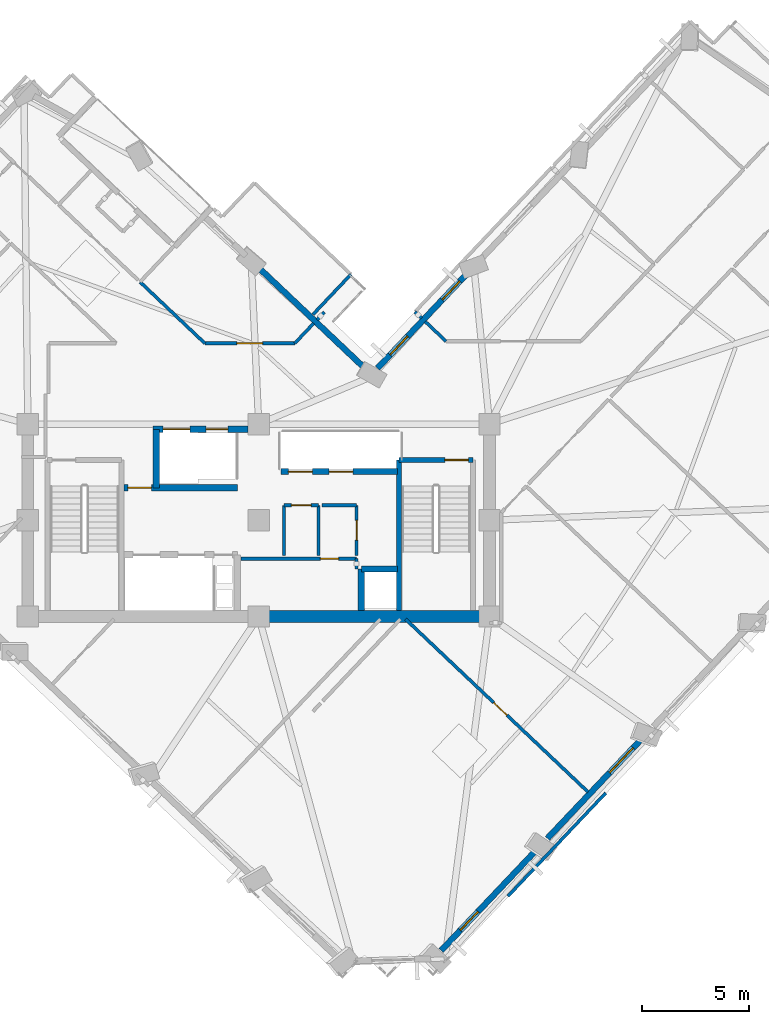
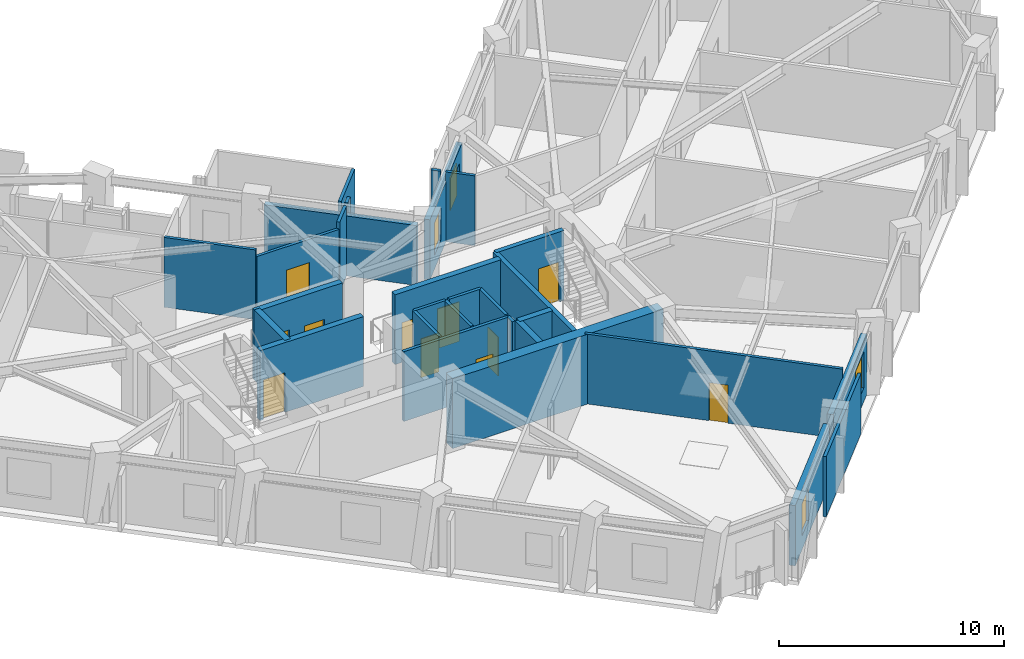
# One storey, part 5 of 12: 29 walls, 11 doors, 4 windows, 15 openings.
"""IFC4 building model written with IfcOpenShell, lengths in metres."""

from ifc_helpers import new_model, si_unit, direction, frame, frame_2d, origin, place, context, subcontext, project, spatial, rectangle, extrude, material, layer, layer_set, type_object, element, fill, save


model = new_model("IFC4")

# Units and contexts
model_context = context("Model", 3, precision=1e-05, world=origin(), true_north=direction((0.0, 1.0)))
body_context = subcontext(model_context, "Body", "Model", "MODEL_VIEW")
ifc_project = project(units=[si_unit("LENGTHUNIT", "METRE"), si_unit("AREAUNIT", "SQUARE_METRE"), si_unit("VOLUMEUNIT", "CUBIC_METRE"), si_unit("PLANEANGLEUNIT", "RADIAN"), si_unit("MASSUNIT", "GRAM", prefix="KILO")], contexts=[model_context])

# Site, building, storey
site_placement = place(None, origin())
site = spatial("IfcSite", under=ifc_project, at=site_placement, CompositionType="ELEMENT")
building_placement = place(site_placement, origin())
building = spatial("IfcBuilding", under=site, at=building_placement, Name="Gaonmaruhae Medical Tower", CompositionType="ELEMENT")
storey_placement = place(building_placement, frame((0.0, 0.0, 223.199951171875)))
storey = spatial("IfcBuildingStorey", under=building, at=storey_placement, Name="L53", CompositionType="ELEMENT", Elevation=223.199951171875)

# Wall
ifc_material_1 = material(Name="Concrete C50/60", Category="concrete")
ifc_layer_1 = layer(ifc_material_1, 0.550048828125)
ifc_layer_set_1 = layer_set([ifc_layer_1], Name="Concrete C50/60")
wall_type_1 = type_object("IfcWallType", Name="CW-550 Mid-High Core Shear Wall", PredefinedType="SHEAR", material=ifc_layer_set_1)
wall_1_placement = place(storey_placement, frame((24.800048828125, 7.800048828125, 0.0), z_axis=(0.0, 0.0, 1.0), x_axis=(1.0, 0.0, 0.0)))
element("IfcWall", 1, at=wall_1_placement, inside=storey, type_object=wall_type_1, Name="L53 Core Shear Wall CSW-S2", PredefinedType="SHEAR", context=body_context, shape_type="SweptSolid", body=[
    extrude(rectangle(XDim=10.800048828125, YDim=0.550048828125, at=frame_2d((5.39990234375, 0.0))), origin(), (0.0, 0.0, 1.0), 3.780029296875),
])

# Wall, opening, window
ifc_material_2 = material(Name="Precast concrete C45/55", Category="concrete")
ifc_layer_2 = layer(ifc_material_2, 0.280029296875)
ifc_layer_set_2 = layer_set([ifc_layer_2], Name="Precast concrete C45/55")
wall_type_2 = type_object("IfcWallType", Name="EW-280 Upper Precast Masonry-Frame Facade Wall", PredefinedType="SOLIDWALL", material=ifc_layer_set_2)
wall_2_placement = place(storey_placement, frame((37.796142578125, -3.12353515625, 0.0), z_axis=(0.0, 0.0, 1.0), x_axis=(-0.68772271811, -0.725973458878, 0.0)))
wall_2 = element("IfcWall", 2, at=wall_2_placement, inside=storey, type_object=wall_type_2, Name="L53 Precast Masonry-Frame Wall S01-S02", PredefinedType="SOLIDWALL", context=body_context, shape_type="SweptSolid", body=[
    extrude(rectangle(XDim=6.48486328125, YDim=0.280029296875, at=frame_2d((3.242431640625, 0.0))), origin(), (0.0, 0.0, 1.0), 3.26513671875),
])
opening_1_placement = place(wall_2_placement, frame((3.973876953125, 0.0, 0.75)))
opening_1 = element("IfcOpeningElement", 3, at=opening_1_placement, cuts=wall_2, Name="Opening WN-05", PredefinedType="OPENING", context=body_context, shape_type="SweptSolid", body=[
    extrude(rectangle(XDim=1.199951171875, YDim=1.75, at=frame_2d((0.60009765625, 0.875))), frame((0.0, 0.14990234375, 0.0), z_axis=(0.0, -1.0, 0.0), x_axis=(1.0, 0.0, 0.0)), (0.0, 0.0, 1.0), 0.300048828125),
])
ifc_material_3 = material(Name="Anodised aluminium and Low-E double glazing", Category="aluminium")
window_type_1 = type_object("IfcWindowType", Name="WN-05 Support & Staff Punched Window 1200x1750", PartitioningType="SINGLE_PANEL", PredefinedType="WINDOW", material=ifc_material_3)
window_1_placement = place(opening_1_placement, origin())
window_1 = element("IfcWindow", 4, at=window_1_placement, inside=storey, type_object=window_type_1, Name="L53 Modular Facade Window S01", OverallHeight=1.75, OverallWidth=1.199951171875, PartitioningType="SINGLE_PANEL", PredefinedType="WINDOW", context=body_context, shape_type="SweptSolid", body=[
    extrude(rectangle(XDim=1.199951171875, YDim=1.75, at=frame_2d((0.60009765625, 0.875))), frame((0.0, 0.030029296875, 0.0), z_axis=(0.0, -1.0, 0.0), x_axis=(1.0, 0.0, 0.0)), (0.0, 0.0, 1.0), 0.06005859375),
])
fill(opening_1, window_1)

wall_3_placement = place(storey_placement, frame((42.7353515625, 2.09033203125, 0.0), z_axis=(0.0, 0.0, 1.0), x_axis=(-0.687718353972, -0.72597759305, 0.0)))
wall_3 = element("IfcWall", 5, at=wall_3_placement, inside=storey, type_object=wall_type_2, Name="L53 Precast Masonry-Frame Wall S02-S03", PredefinedType="SOLIDWALL", context=body_context, shape_type="SweptSolid", body=[
    extrude(rectangle(XDim=6.438720703125, YDim=0.280029296875, at=frame_2d((3.21923828125, 0.0))), origin(), (0.0, 0.0, 1.0), 3.26513671875),
])
opening_2_placement = place(wall_3_placement, frame((0.6103515625, 0.0, 0.75)))
opening_2 = element("IfcOpeningElement", 6, at=opening_2_placement, cuts=wall_3, Name="Opening WN-01", PredefinedType="OPENING", context=body_context, shape_type="SweptSolid", body=[
    extrude(rectangle(XDim=1.60009765625, YDim=1.949951171875, at=frame_2d((0.800048828125, 0.97509765625))), frame((0.0, 0.14990234375, 0.0), z_axis=(0.0, -1.0, 0.0), x_axis=(1.0, 0.0, 0.0)), (0.0, 0.0, 1.0), 0.300048828125),
])
window_type_2 = type_object("IfcWindowType", Name="WN-01 Ward Punched Acoustic Window 1600x1950", PartitioningType="SINGLE_PANEL", PredefinedType="WINDOW", material=ifc_material_3)
window_2_placement = place(opening_2_placement, origin())
window_2 = element("IfcWindow", 7, at=window_2_placement, inside=storey, type_object=window_type_2, Name="L53 Modular Facade Window S02", OverallHeight=1.949951171875, OverallWidth=1.60009765625, PartitioningType="SINGLE_PANEL", PredefinedType="WINDOW", context=body_context, shape_type="SweptSolid", body=[
    extrude(rectangle(XDim=1.60009765625, YDim=1.949951171875, at=frame_2d((0.800048828125, 0.97509765625))), frame((0.0, 0.030029296875, 0.0), z_axis=(0.0, -1.0, 0.0), x_axis=(1.0, 0.0, 0.0)), (0.0, 0.0, 1.0), 0.06005859375),
])
fill(opening_2, window_2)

# Wall, openings, windows
wall_4_placement = place(storey_placement, frame((30.354248046875, 19.410888671875, 0.0), z_axis=(0.0, 0.0, 1.0), x_axis=(0.68771935581, 0.725976644007, 0.0)))
wall_4 = element("IfcWall", 8, at=wall_4_placement, inside=storey, type_object=wall_type_2, Name="L53 Precast Masonry-Frame Wall EN02-KN01", PredefinedType="SOLIDWALL", context=body_context, shape_type="SweptSolid", body=[
    extrude(rectangle(XDim=6.158203125, YDim=0.280029296875, at=frame_2d((3.0791015625, 0.0))), origin(), (0.0, 0.0, 1.0), 3.26513671875),
])
opening_3_placement = place(wall_4_placement, frame((0.8583984375, 0.0, 0.75)))
opening_3 = element("IfcOpeningElement", 9, at=opening_3_placement, cuts=wall_4, Name="Opening WN-05", PredefinedType="OPENING", context=body_context, shape_type="SweptSolid", body=[
    extrude(rectangle(XDim=1.199951171875, YDim=1.75, at=frame_2d((0.60009765625, 0.875))), frame((0.0, 0.14990234375, 0.0), z_axis=(0.0, -1.0, 0.0), x_axis=(1.0, 0.0, 0.0)), (0.0, 0.0, 1.0), 0.300048828125),
])
opening_4_placement = place(wall_4_placement, frame((4.406494140625, 0.0, 0.75)))
opening_4 = element("IfcOpeningElement", 10, at=opening_4_placement, cuts=wall_4, Name="Opening WN-05", PredefinedType="OPENING", context=body_context, shape_type="SweptSolid", body=[
    extrude(rectangle(XDim=1.199951171875, YDim=1.75, at=frame_2d((0.60009765625, 0.875))), frame((0.0, 0.14990234375, 0.0), z_axis=(0.0, -1.0, 0.0), x_axis=(1.0, 0.0, 0.0)), (0.0, 0.0, 1.0), 0.300048828125),
])
window_3_placement = place(opening_3_placement, origin())
window_3 = element("IfcWindow", 11, at=window_3_placement, inside=storey, type_object=window_type_1, Name="L53 Modular Facade Window EN02", OverallHeight=1.75, OverallWidth=1.199951171875, PartitioningType="SINGLE_PANEL", PredefinedType="WINDOW", context=body_context, shape_type="SweptSolid", body=[
    extrude(rectangle(XDim=1.199951171875, YDim=1.75, at=frame_2d((0.60009765625, 0.875))), frame((0.0, 0.030029296875, 0.0), z_axis=(0.0, -1.0, 0.0), x_axis=(1.0, 0.0, 0.0)), (0.0, 0.0, 1.0), 0.06005859375),
])
fill(opening_3, window_3)
window_4_placement = place(opening_4_placement, origin())
window_4 = element("IfcWindow", 12, at=window_4_placement, inside=storey, type_object=window_type_1, Name="L53 Modular Facade Window EN02B", OverallHeight=1.75, OverallWidth=1.199951171875, PartitioningType="SINGLE_PANEL", PredefinedType="WINDOW", context=body_context, shape_type="SweptSolid", body=[
    extrude(rectangle(XDim=1.199951171875, YDim=1.75, at=frame_2d((0.60009765625, 0.875))), frame((0.0, 0.030029296875, 0.0), z_axis=(0.0, -1.0, 0.0), x_axis=(1.0, 0.0, 0.0)), (0.0, 0.0, 1.0), 0.06005859375),
])
fill(opening_4, window_4)

# Wall
wall_5_placement = place(storey_placement, frame((24.77490234375, 24.1376953125, 0.0), z_axis=(0.0, 0.0, 1.0), x_axis=(0.725970201199, -0.687726156962, 0.0)))
element("IfcWall", 13, at=wall_5_placement, inside=storey, type_object=wall_type_2, Name="L53 Precast Masonry-Frame Wall KN01-NE01", PredefinedType="SOLIDWALL", context=body_context, shape_type="SweptSolid", body=[
    extrude(rectangle(XDim=6.958251953125, YDim=0.280029296875, at=frame_2d((3.47900390625, 0.0))), origin(), (0.0, 0.0, 1.0), 3.2451171875),
])

# Wall, opening, door
ifc_material_4 = material(Name="Gypsum board partition", Category="gypsum")
ifc_layer_3 = layer(ifc_material_4, 0.14990234375)
ifc_layer_set_3 = layer_set([ifc_layer_3], Name="Gypsum board partition")
wall_type_3 = type_object("IfcWallType", Name="PW-150 Rated Clinical Corridor Partition", PredefinedType="PARTITIONING", material=ifc_layer_set_3)
wall_6_placement = place(storey_placement, frame((23.97998046875, 10.5, 0.0), z_axis=(0.0, 0.0, 1.0), x_axis=(1.0, 0.0, 0.0)))
wall_6 = element("IfcWall", 14, at=wall_6_placement, inside=storey, type_object=wall_type_3, Name="L53 Interior Partition L53-RCL1-1", PredefinedType="PARTITIONING", context=body_context, shape_type="SweptSolid", body=[
    extrude(rectangle(XDim=5.39990234375, YDim=0.14990234375, at=frame_2d((2.699951171875, 0.0))), origin(), (0.0, 0.0, 1.0), 3.780029296875),
])
opening_5_placement = place(wall_6_placement, frame((3.702880859375, 0.0, 0.0)))
opening_5 = element("IfcOpeningElement", 15, at=opening_5_placement, cuts=wall_6, Name="Opening AD-01", PredefinedType="OPENING", context=body_context, shape_type="SweptSolid", body=[
    extrude(rectangle(XDim=0.860107421875, YDim=2.06005859375, at=frame_2d((0.43017578125, 1.030029296875))), frame((0.0, 0.0849609375, 0.0), z_axis=(0.0, -1.0, 0.0), x_axis=(1.0, 0.0, 0.0)), (0.0, 0.0, 1.0), 0.169921875),
])
ifc_material_5 = material(Name="Powder-coated steel access door", Category="steel")
door_type_1 = type_object("IfcDoorType", Name="AD-01 Riser & Closet Access Fire Door 860x2060", OperationType="NOTDEFINED", PredefinedType="DOOR", material=ifc_material_5)
door_1_placement = place(opening_5_placement, origin())
door_1 = element("IfcDoor", 16, at=door_1_placement, inside=storey, type_object=door_type_1, Name="L53 Biomedical Infusion Preparation Room Sliding Door", OperationType="SLIDING_TO_LEFT", OverallHeight=2.06005859375, OverallWidth=0.860107421875, PredefinedType="DOOR", context=body_context, shape_type="SweptSolid", body=[
    extrude(rectangle(XDim=0.860107421875, YDim=2.06005859375, at=frame_2d((0.43017578125, 1.030029296875))), frame((0.0, 0.02490234375, 0.0), z_axis=(0.0, -1.0, 0.0), x_axis=(1.0, 0.0, 0.0)), (0.0, 0.0, 1.0), 0.050048828125),
])
fill(opening_5, door_1)

# Walls
wall_7_placement = place(storey_placement, frame((29.3798828125, 10.5, 0.0), z_axis=(0.0, 0.0, 1.0), x_axis=(0.0, -1.0, 0.0)))
element("IfcWall", 17, at=wall_7_placement, inside=storey, type_object=wall_type_3, Name="L53 Interior Partition L53-RCL1-2", PredefinedType="PARTITIONING", context=body_context, shape_type="SweptSolid", body=[
    extrude(rectangle(XDim=0.47998046875, YDim=0.14990234375, at=frame_2d((0.239990234375, 0.0))), origin(), (0.0, 0.0, 1.0), 3.780029296875),
])
wall_8_placement = place(storey_placement, frame((25.97998046875, 10.659912109375, 0.0), z_axis=(0.0, 0.0, 1.0), x_axis=(0.0, 1.0, 0.0)))
element("IfcWall", 18, at=wall_8_placement, inside=storey, type_object=wall_type_3, Name="L53 Interior Partition L53-CS1-3", PredefinedType="PARTITIONING", context=body_context, shape_type="SweptSolid", body=[
    extrude(rectangle(XDim=2.340087890625, YDim=0.14990234375, at=frame_2d((1.169921875, 0.0))), origin(), (0.0, 0.0, 1.0), 3.780029296875),
])

# Wall, opening, door
wall_9_placement = place(storey_placement, frame((25.97998046875, 13.0, 0.0), z_axis=(0.0, 0.0, 1.0), x_axis=(1.0, 0.0, 0.0)))
wall_9 = element("IfcWall", 19, at=wall_9_placement, inside=storey, type_object=wall_type_3, Name="L53 Interior Partition L53-CS1-4", PredefinedType="PARTITIONING", context=body_context, shape_type="SweptSolid", body=[
    extrude(rectangle(XDim=1.6201171875, YDim=0.14990234375, at=frame_2d((0.81005859375, 0.0))), origin(), (0.0, 0.0, 1.0), 3.780029296875),
])
opening_6_placement = place(wall_9_placement, frame((0.35009765625, 0.0, 0.0)))
opening_6 = element("IfcOpeningElement", 20, at=opening_6_placement, cuts=wall_9, Name="Opening UD-01", PredefinedType="OPENING", context=body_context, shape_type="SweptSolid", body=[
    extrude(rectangle(XDim=0.919921875, YDim=2.10009765625, at=frame_2d((0.4599609375, 1.050048828125))), frame((0.0, 0.0849609375, 0.0), z_axis=(0.0, -1.0, 0.0), x_axis=(1.0, 0.0, 0.0)), (0.0, 0.0, 1.0), 0.169921875),
])
ifc_material_6 = material(Name="Powder-coated steel utility door", Category="steel")
door_type_2 = type_object("IfcDoorType", Name="UD-01 Toilet, Utility & Housekeeping Door 920x2100", OperationType="NOTDEFINED", PredefinedType="DOOR", material=ifc_material_6)
door_2_placement = place(opening_6_placement, origin())
door_2 = element("IfcDoor", 21, at=door_2_placement, inside=storey, type_object=door_type_2, Name="L53 Accessible Staff Toilet Door", OperationType="SINGLE_SWING_RIGHT", OverallHeight=2.10009765625, OverallWidth=0.919921875, PredefinedType="DOOR", context=body_context, shape_type="SweptSolid", body=[
    extrude(rectangle(XDim=0.919921875, YDim=2.10009765625, at=frame_2d((0.4599609375, 1.050048828125))), frame((0.0, 0.02490234375, 0.0), z_axis=(0.0, -1.0, 0.0), x_axis=(1.0, 0.0, 0.0)), (0.0, 0.0, 1.0), 0.050048828125),
])
fill(opening_6, door_2)

# Walls
wall_10_placement = place(storey_placement, frame((27.60009765625, 13.0, 0.0), z_axis=(0.0, 0.0, 1.0), x_axis=(0.0, -1.0, 0.0)))
element("IfcWall", 22, at=wall_10_placement, inside=storey, type_object=wall_type_3, Name="L53 Interior Partition L53-CS1-5", PredefinedType="PARTITIONING", context=body_context, shape_type="SweptSolid", body=[
    extrude(rectangle(XDim=2.340087890625, YDim=0.14990234375, at=frame_2d((1.169921875, 0.0))), origin(), (0.0, 0.0, 1.0), 3.780029296875),
])
wall_11_placement = place(storey_placement, frame((27.760009765625, 13.0, 0.0), z_axis=(0.0, 0.0, 1.0), x_axis=(1.0, 0.0, 0.0)))
element("IfcWall", 23, at=wall_11_placement, inside=storey, type_object=wall_type_3, Name="L53 Interior Partition L53-CS2-6", PredefinedType="PARTITIONING", context=body_context, shape_type="SweptSolid", body=[
    extrude(rectangle(XDim=1.619873046875, YDim=0.14990234375, at=frame_2d((0.81005859375, 0.0))), origin(), (0.0, 0.0, 1.0), 3.780029296875),
])

# Wall, opening, door
wall_12_placement = place(storey_placement, frame((29.3798828125, 13.0, 0.0), z_axis=(0.0, 0.0, 1.0), x_axis=(0.0, -1.0, 0.0)))
wall_12 = element("IfcWall", 24, at=wall_12_placement, inside=storey, type_object=wall_type_3, Name="L53 Interior Partition L53-CS2-7", PredefinedType="PARTITIONING", context=body_context, shape_type="SweptSolid", body=[
    extrude(rectangle(XDim=2.340087890625, YDim=0.14990234375, at=frame_2d((1.169921875, 0.0))), origin(), (0.0, 0.0, 1.0), 3.780029296875),
])
opening_7_placement = place(wall_12_placement, frame((0.7099609375, 0.0, 0.0)))
opening_7 = element("IfcOpeningElement", 25, at=opening_7_placement, cuts=wall_12, Name="Opening UD-01", PredefinedType="OPENING", context=body_context, shape_type="SweptSolid", body=[
    extrude(rectangle(XDim=0.919921875, YDim=2.10009765625, at=frame_2d((0.4599609375, 1.050048828125))), frame((0.0, 0.0849609375, 0.0), z_axis=(0.0, -1.0, 0.0), x_axis=(1.0, 0.0, 0.0)), (0.0, 0.0, 1.0), 0.169921875),
])
door_3_placement = place(opening_7_placement, origin())
door_3 = element("IfcDoor", 26, at=door_3_placement, inside=storey, type_object=door_type_2, Name="L53 Biomedical Telemetry Closet Door", OperationType="SINGLE_SWING_RIGHT", OverallHeight=2.10009765625, OverallWidth=0.919921875, PredefinedType="DOOR", context=body_context, shape_type="SweptSolid", body=[
    extrude(rectangle(XDim=0.919921875, YDim=2.10009765625, at=frame_2d((0.4599609375, 1.050048828125))), frame((0.0, 0.02490234375, 0.0), z_axis=(0.0, -1.0, 0.0), x_axis=(1.0, 0.0, 0.0)), (0.0, 0.0, 1.0), 0.050048828125),
])
fill(opening_7, door_3)

wall_13_placement = place(storey_placement, frame((31.6689453125, 7.675048828125, 0.0), z_axis=(0.0, 0.0, 1.0), x_axis=(0.726018688267, -0.687674969943, 0.0)))
wall_13 = element("IfcWall", 27, at=wall_13_placement, inside=storey, type_object=wall_type_3, Name="L53 Interior Partition L53-SUP02-11", PredefinedType="PARTITIONING", context=body_context, shape_type="SweptSolid", body=[
    extrude(rectangle(XDim=11.76025390625, YDim=0.14990234375, at=frame_2d((5.880126953125, 0.0))), origin(), (0.0, 0.0, 1.0), 3.780029296875),
])
opening_8_placement = place(wall_13_placement, frame((5.678955078125, 0.0, 0.0)))
opening_8 = element("IfcOpeningElement", 28, at=opening_8_placement, cuts=wall_13, Name="Opening AD-01", PredefinedType="OPENING", context=body_context, shape_type="SweptSolid", body=[
    extrude(rectangle(XDim=0.860107421875, YDim=2.06005859375, at=frame_2d((0.43017578125, 1.030029296875))), frame((0.0, 0.0849609375, 0.0), z_axis=(0.0, -1.0, 0.0), x_axis=(1.0, 0.0, 0.0)), (0.0, 0.0, 1.0), 0.169921875),
])
door_4_placement = place(opening_8_placement, origin())
door_4 = element("IfcDoor", 29, at=door_4_placement, inside=storey, type_object=door_type_1, Name="L53 Clinical Biomedical Charting Office Sliding Door", OperationType="SLIDING_TO_LEFT", OverallHeight=2.06005859375, OverallWidth=0.860107421875, PredefinedType="DOOR", context=body_context, shape_type="SweptSolid", body=[
    extrude(rectangle(XDim=0.860107421875, YDim=2.06005859375, at=frame_2d((0.43017578125, 1.030029296875))), frame((0.0, 0.02490234375, 0.0), z_axis=(0.0, -1.0, 0.0), x_axis=(1.0, 0.0, 0.0)), (0.0, 0.0, 1.0), 0.050048828125),
])
fill(opening_8, door_4)

# Walls
wall_14_placement = place(storey_placement, frame((33.55810546875, 20.679931640625, 0.0), z_axis=(0.0, 0.0, 1.0), x_axis=(-0.725919116745, 0.687780078183, 0.0)))
element("IfcWall", 30, at=wall_14_placement, inside=storey, type_object=wall_type_3, Name="L53 Interior Partition L53-IE02-54", PredefinedType="PARTITIONING", context=body_context, shape_type="SweptSolid", body=[
    extrude(rectangle(XDim=1.337890625, YDim=0.14990234375, at=frame_2d((0.6689453125, 0.0))), origin(), (0.0, 0.0, 1.0), 3.780029296875),
])
wall_15_placement = place(storey_placement, frame((32.419921875, 21.758056640625, 0.0), z_axis=(0.0, 0.0, 1.0), x_axis=(-0.726483567021, 0.687183837738, 0.0)))
element("IfcWall", 31, at=wall_15_placement, inside=storey, type_object=wall_type_3, Name="L53 Interior Partition L53-IE02-55", PredefinedType="PARTITIONING", context=body_context, shape_type="SweptSolid", body=[
    extrude(rectangle(XDim=0.434814453125, YDim=0.14990234375, at=frame_2d((0.21728515625, 0.0))), origin(), (0.0, 0.0, 1.0), 3.780029296875),
])
wall_16_placement = place(storey_placement, frame((27.866943359375, 22.034912109375, 0.0), z_axis=(0.0, 0.0, 1.0), x_axis=(-0.687437044311, -0.726243974232, 0.0)))
element("IfcWall", 32, at=wall_16_placement, inside=storey, type_object=wall_type_3, Name="L53 Interior Partition L53-IN01-67", PredefinedType="PARTITIONING", context=body_context, shape_type="SweptSolid", body=[
    extrude(rectangle(XDim=0.484375, YDim=0.14990234375, at=frame_2d((0.2421875, 0.0))), origin(), (0.0, 0.0, 1.0), 3.780029296875),
])
wall_17_placement = place(storey_placement, frame((27.375, 21.51611328125, 0.0), z_axis=(0.0, 0.0, 1.0), x_axis=(-0.687424078964, -0.726256246555, 0.0)))
element("IfcWall", 33, at=wall_17_placement, inside=storey, type_object=wall_type_3, Name="L53 Interior Partition L53-IN01-68", PredefinedType="PARTITIONING", context=body_context, shape_type="SweptSolid", body=[
    extrude(rectangle(XDim=1.288818359375, YDim=0.14990234375, at=frame_2d((0.64453125, 0.0))), origin(), (0.0, 0.0, 1.0), 3.780029296875),
])

# Wall, opening, door
wall_18_placement = place(storey_placement, frame((26.489013671875, 20.580078125, 0.0), z_axis=(0.0, 0.0, 1.0), x_axis=(-1.0, 0.0, 0.0)))
wall_18 = element("IfcWall", 34, at=wall_18_placement, inside=storey, type_object=wall_type_3, Name="L53 Interior Partition L53-IN01-69", PredefinedType="PARTITIONING", context=body_context, shape_type="SweptSolid", body=[
    extrude(rectangle(XDim=4.2109375, YDim=0.14990234375, at=frame_2d((2.10546875, 0.0))), origin(), (0.0, 0.0, 1.0), 3.4150390625),
])
opening_9_placement = place(wall_18_placement, frame((1.505615234375, 0.0, 0.0)))
opening_9 = element("IfcOpeningElement", 35, at=opening_9_placement, cuts=wall_18, Name="Opening CD-02", PredefinedType="OPENING", context=body_context, shape_type="SweptSolid", body=[
    extrude(rectangle(XDim=1.199951171875, YDim=2.14990234375, at=frame_2d((0.60009765625, 1.074951171875))), frame((0.0, 0.0849609375, 0.0), z_axis=(0.0, -1.0, 0.0), x_axis=(1.0, 0.0, 0.0)), (0.0, 0.0, 1.0), 0.169921875),
])
ifc_material_7 = material(Name="Antimicrobial laminate timber fire door", Category="wood")
door_type_3 = type_object("IfcDoorType", Name="CD-02 Clinical Treatment & Procedure Door 1200x2150", OperationType="NOTDEFINED", PredefinedType="DOOR", material=ifc_material_7)
door_5_placement = place(opening_9_placement, origin())
door_5 = element("IfcDoor", 36, at=door_5_placement, inside=storey, type_object=door_type_3, Name="L53 Physician Consultation Office Door", OperationType="SINGLE_SWING_LEFT", OverallHeight=2.14990234375, OverallWidth=1.199951171875, PredefinedType="DOOR", context=body_context, shape_type="SweptSolid", body=[
    extrude(rectangle(XDim=1.199951171875, YDim=2.14990234375, at=frame_2d((0.60009765625, 1.074951171875))), frame((0.0, 0.02490234375, 0.0), z_axis=(0.0, -1.0, 0.0), x_axis=(1.0, 0.0, 0.0)), (0.0, 0.0, 1.0), 0.050048828125),
])
fill(opening_9, door_5)

# Walls
wall_19_placement = place(storey_placement, frame((22.278076171875, 20.580078125, 0.0), z_axis=(0.0, 0.0, 1.0), x_axis=(-0.725923471365, 0.687775482059, 0.0)))
element("IfcWall", 37, at=wall_19_placement, inside=storey, type_object=wall_type_3, Name="L53 Interior Partition L53-IN01-70", PredefinedType="PARTITIONING", context=body_context, shape_type="SweptSolid", body=[
    extrude(rectangle(XDim=4.172607421875, YDim=0.14990234375, at=frame_2d((2.08642578125, 0.0))), origin(), (0.0, 0.0, 1.0), 3.780029296875),
])
wall_20_placement = place(storey_placement, frame((41.031982421875, -0.464111328125, 0.0), z_axis=(0.0, 0.0, 1.0), x_axis=(-0.687730371061, -0.725966209076, 0.0)))
element("IfcWall", 38, at=wall_20_placement, inside=storey, type_object=wall_type_3, Name="L53 Interior Partition L53-RM01-83", PredefinedType="PARTITIONING", context=body_context, shape_type="SweptSolid", body=[
    extrude(rectangle(XDim=6.640625, YDim=0.14990234375, at=frame_2d((3.3203125, 0.0))), origin(), (0.0, 0.0, 1.0), 3.26513671875),
])
wall_21_placement = place(storey_placement, frame((29.12109375, 23.80908203125, 0.0), z_axis=(0.0, 0.0, 1.0), x_axis=(-0.687522415968, -0.726163154905, 0.0)))
element("IfcWall", 39, at=wall_21_placement, inside=storey, type_object=wall_type_3, Name="L53 Interior Partition L53-RM03-89", PredefinedType="PARTITIONING", context=body_context, shape_type="SweptSolid", body=[
    extrude(rectangle(XDim=2.590576171875, YDim=0.14990234375, at=frame_2d((1.29541015625, 0.0))), origin(), (0.0, 0.0, 1.0), 3.780029296875),
])

# Wall, opening, door
ifc_layer_4 = layer(ifc_material_1, 0.239990234375)
ifc_layer_set_4 = layer_set([ifc_layer_4], Name="Concrete C50/60")
wall_type_4 = type_object("IfcWallType", Name="SW-240 Dogleg Stair Tight Shaft Wall", PredefinedType="SOLIDWALL", material=ifc_layer_set_4)
wall_22_placement = place(storey_placement, frame((31.3701171875, 15.1201171875, 0.0), z_axis=(0.0, 0.0, 1.0), x_axis=(1.0, 0.0, 0.0)))
wall_22 = element("IfcWall", 40, at=wall_22_placement, inside=storey, type_object=wall_type_4, Name="L53 ST-02 Stair Shaft Wall SHW-ST-02-N", PredefinedType="SOLIDWALL", context=body_context, shape_type="SweptSolid", body=[
    extrude(rectangle(XDim=3.4599609375, YDim=0.239990234375, at=frame_2d((1.72998046875, 0.0))), origin(), (0.0, 0.0, 1.0), 3.780029296875),
])
opening_10_placement = place(wall_22_placement, frame((2.139892578125, 0.0, 0.0)))
opening_10 = element("IfcOpeningElement", 41, at=opening_10_placement, cuts=wall_22, Name="Opening FD-01", PredefinedType="OPENING", context=body_context, shape_type="SweptSolid", body=[
    extrude(rectangle(XDim=1.10009765625, YDim=2.14990234375, at=frame_2d((0.550048828125, 1.074951171875))), frame((0.0, 0.1298828125, 0.0), z_axis=(0.0, -1.0, 0.0), x_axis=(1.0, 0.0, 0.0)), (0.0, 0.0, 1.0), 0.260009765625),
])
ifc_material_8 = material(Name="Powder-coated steel fire door", Category="steel")
door_type_4 = type_object("IfcDoorType", Name="FD-01 Escape Stair Protected Fire Door 1100x2150", OperationType="NOTDEFINED", PredefinedType="DOOR", material=ifc_material_8)
door_6_placement = place(opening_10_placement, origin())
door_6 = element("IfcDoor", 42, at=door_6_placement, inside=storey, type_object=door_type_4, Name="L53 ST-02 Protected Escape Stair Door", OperationType="SINGLE_SWING_LEFT", OverallHeight=2.14990234375, OverallWidth=1.10009765625, PredefinedType="DOOR", context=body_context, shape_type="SweptSolid", body=[
    extrude(rectangle(XDim=1.10009765625, YDim=2.14990234375, at=frame_2d((0.550048828125, 1.074951171875))), frame((0.0, 0.02490234375, 0.0), z_axis=(0.0, -1.0, 0.0), x_axis=(1.0, 0.0, 0.0)), (0.0, 0.0, 1.0), 0.050048828125),
])
fill(opening_10, door_6)

# Wall
wall_23_placement = place(storey_placement, frame((31.3701171875, 8.074951171875, 0.0), z_axis=(0.0, 0.0, 1.0), x_axis=(0.0, 1.0, 0.0)))
element("IfcWall", 43, at=wall_23_placement, inside=storey, type_object=wall_type_4, Name="L53 ST-02 Stair Shaft Wall SHW-ST-02-W", PredefinedType="SOLIDWALL", context=body_context, shape_type="SweptSolid", body=[
    extrude(rectangle(XDim=7.045166015625, YDim=0.239990234375, at=frame_2d((3.5224609375, 0.0))), origin(), (0.0, 0.0, 1.0), 3.780029296875),
])

# Wall, openings, doors
ifc_layer_5 = layer(ifc_material_1, 0.300048828125)
ifc_layer_set_5 = layer_set([ifc_layer_5], Name="Concrete C50/60")
wall_type_5 = type_object("IfcWallType", Name="SW-300 Stair & Lift Hoistway Shaft Wall", PredefinedType="SOLIDWALL", material=ifc_layer_set_5)
wall_24_placement = place(storey_placement, frame((19.85009765625, 16.550048828125, 0.0), z_axis=(0.0, 0.0, 1.0), x_axis=(1.0, 0.0, 0.0)))
wall_24 = element("IfcWall", 44, at=wall_24_placement, inside=storey, type_object=wall_type_5, Name="L53 Core Shear Wall CSW-NB", PredefinedType="SOLIDWALL", context=body_context, shape_type="SweptSolid", body=[
    extrude(rectangle(XDim=4.449951171875, YDim=0.300048828125, at=frame_2d((2.22509765625, 0.0))), origin(), (0.0, 0.0, 1.0), 3.780029296875),
])
opening_11_placement = place(wall_24_placement, frame((0.47509765625, 0.0, 0.0)))
opening_11 = element("IfcOpeningElement", 45, at=opening_11_placement, cuts=wall_24, Name="Opening LD-F1", PredefinedType="OPENING", context=body_context, shape_type="SweptSolid", body=[
    extrude(rectangle(XDim=1.25, YDim=2.179931640625, at=frame_2d((0.625, 1.08984375))), frame((0.0, 0.16015625, 0.0), z_axis=(0.0, -1.0, 0.0), x_axis=(1.0, 0.0, 0.0)), (0.0, 0.0, 1.0), 0.320068359375),
])
opening_12_placement = place(wall_24_placement, frame((2.489990234375, 0.0, 0.0)))
opening_12 = element("IfcOpeningElement", 46, at=opening_12_placement, cuts=wall_24, Name="Opening LD-S1", PredefinedType="OPENING", context=body_context, shape_type="SweptSolid", body=[
    extrude(rectangle(XDim=1.02001953125, YDim=2.1201171875, at=frame_2d((0.510009765625, 1.06005859375))), frame((0.0, 0.16015625, 0.0), z_axis=(0.0, -1.0, 0.0), x_axis=(1.0, 0.0, 0.0)), (0.0, 0.0, 1.0), 0.320068359375),
])
ifc_material_9 = material(Name="Brushed stainless steel 316L landing door", Category="steel")
door_type_5 = type_object("IfcDoorType", Name="LD-F1 Firefighting & Bed Lift Sliding Landing Door 1250x2180", OperationType="NOTDEFINED", PredefinedType="DOOR", material=ifc_material_9)
door_7_placement = place(opening_11_placement, origin())
door_7 = element("IfcDoor", 47, at=door_7_placement, inside=storey, type_object=door_type_5, Name="L53 Service/Bed Lift Landing Door BDL-01", OperationType="DOUBLE_DOOR_SLIDING", OverallHeight=2.179931640625, OverallWidth=1.25, PredefinedType="DOOR", context=body_context, shape_type="SweptSolid", body=[
    extrude(rectangle(XDim=1.25, YDim=2.179931640625, at=frame_2d((0.625, 1.08984375))), frame((0.0, 0.02490234375, 0.0), z_axis=(0.0, -1.0, 0.0), x_axis=(1.0, 0.0, 0.0)), (0.0, 0.0, 1.0), 0.050048828125),
])
fill(opening_11, door_7)
ifc_material_10 = material(Name="Brushed stainless steel 304 landing door", Category="steel")
door_type_6 = type_object("IfcDoorType", Name="LD-S1 Service Lift Sliding Landing Door 1020x2120", OperationType="NOTDEFINED", PredefinedType="DOOR", material=ifc_material_10)
door_8_placement = place(opening_12_placement, origin())
door_8 = element("IfcDoor", 48, at=door_8_placement, inside=storey, type_object=door_type_6, Name="L53 Service/Bed Lift Landing Door SVL-01", OperationType="SLIDING_TO_LEFT", OverallHeight=2.1201171875, OverallWidth=1.02001953125, PredefinedType="DOOR", context=body_context, shape_type="SweptSolid", body=[
    extrude(rectangle(XDim=1.02001953125, YDim=2.1201171875, at=frame_2d((0.510009765625, 1.06005859375))), frame((0.0, 0.02490234375, 0.0), z_axis=(0.0, -1.0, 0.0), x_axis=(1.0, 0.0, 0.0)), (0.0, 0.0, 1.0), 0.050048828125),
])
fill(opening_12, door_8)

# Wall, opening, door
wall_25_placement = place(storey_placement, frame((18.5, 13.820068359375, 0.0), z_axis=(0.0, 0.0, 1.0), x_axis=(1.0, 0.0, 0.0)))
wall_25 = element("IfcWall", 49, at=wall_25_placement, inside=storey, type_object=wall_type_5, Name="L53 Shaft Enclosure Wall SHW-FFL", PredefinedType="SOLIDWALL", context=body_context, shape_type="SweptSolid", body=[
    extrude(rectangle(XDim=5.300048828125, YDim=0.300048828125, at=frame_2d((2.64990234375, 0.0))), origin(), (0.0, 0.0, 1.0), 3.780029296875),
])
opening_13_placement = place(wall_25_placement, frame((0.179931640625, 0.0, 0.0)))
opening_13 = element("IfcOpeningElement", 50, at=opening_13_placement, cuts=wall_25, Name="Opening FD-01", PredefinedType="OPENING", context=body_context, shape_type="SweptSolid", body=[
    extrude(rectangle(XDim=1.10009765625, YDim=2.14990234375, at=frame_2d((0.550048828125, 1.074951171875))), frame((0.0, 0.16015625, 0.0), z_axis=(0.0, -1.0, 0.0), x_axis=(1.0, 0.0, 0.0)), (0.0, 0.0, 1.0), 0.320068359375),
])
door_9_placement = place(opening_13_placement, origin())
door_9 = element("IfcDoor", 51, at=door_9_placement, inside=storey, type_object=door_type_4, Name="L53 Firefighting Lobby Smoke Door", OperationType="SINGLE_SWING_LEFT", OverallHeight=2.14990234375, OverallWidth=1.10009765625, PredefinedType="DOOR", context=body_context, shape_type="SweptSolid", body=[
    extrude(rectangle(XDim=1.10009765625, YDim=2.14990234375, at=frame_2d((0.550048828125, 1.074951171875))), frame((0.0, 0.02490234375, 0.0), z_axis=(0.0, -1.0, 0.0), x_axis=(1.0, 0.0, 0.0)), (0.0, 0.0, 1.0), 0.050048828125),
])
fill(opening_13, door_9)

# Walls
wall_26_placement = place(storey_placement, frame((20.0, 13.820068359375, 0.0), z_axis=(0.0, 0.0, 1.0), x_axis=(0.0, 1.0, 0.0)))
element("IfcWall", 52, at=wall_26_placement, inside=storey, type_object=wall_type_5, Name="L53 Shaft Enclosure Wall SHW-BDW", PredefinedType="SOLIDWALL", context=body_context, shape_type="SweptSolid", body=[
    extrude(rectangle(XDim=2.72998046875, YDim=0.300048828125, at=frame_2d((1.364990234375, 0.0))), origin(), (0.0, 0.0, 1.0), 3.780029296875),
])
wall_27_placement = place(storey_placement, frame((29.60009765625, 10.02001953125, 0.0), z_axis=(0.0, 0.0, 1.0), x_axis=(1.0, 0.0, 0.0)))
element("IfcWall", 53, at=wall_27_placement, inside=storey, type_object=wall_type_5, Name="L53 Shaft Enclosure Wall SHW-PLS", PredefinedType="SOLIDWALL", context=body_context, shape_type="SweptSolid", body=[
    extrude(rectangle(XDim=1.699951171875, YDim=0.300048828125, at=frame_2d((0.85009765625, 0.0))), origin(), (0.0, 0.0, 1.0), 3.780029296875),
])
wall_28_placement = place(storey_placement, frame((29.60009765625, 8.074951171875, 0.0), z_axis=(0.0, 0.0, 1.0), x_axis=(0.0, 1.0, 0.0)))
element("IfcWall", 54, at=wall_28_placement, inside=storey, type_object=wall_type_5, Name="L53 Shaft Enclosure Wall SHW-PLD1", PredefinedType="SOLIDWALL", context=body_context, shape_type="SweptSolid", body=[
    extrude(rectangle(XDim=1.945068359375, YDim=0.300048828125, at=frame_2d((0.97265625, 0.0))), origin(), (0.0, 0.0, 1.0), 3.780029296875),
])

# Wall, openings, doors
wall_29_placement = place(storey_placement, frame((25.85009765625, 14.580078125, 0.0), z_axis=(0.0, 0.0, 1.0), x_axis=(1.0, 0.0, 0.0)))
wall_29 = element("IfcWall", 55, at=wall_29_placement, inside=storey, type_object=wall_type_5, Name="L53 Shaft Enclosure Wall SHW-PLN", PredefinedType="SOLIDWALL", context=body_context, shape_type="SweptSolid", body=[
    extrude(rectangle(XDim=5.449951171875, YDim=0.300048828125, at=frame_2d((2.72509765625, 0.0))), origin(), (0.0, 0.0, 1.0), 3.780029296875),
])
opening_14_placement = place(wall_29_placement, frame((0.340087890625, 0.0, 0.0)))
opening_14 = element("IfcOpeningElement", 56, at=opening_14_placement, cuts=wall_29, Name="Opening LD-P1", PredefinedType="OPENING", context=body_context, shape_type="SweptSolid", body=[
    extrude(rectangle(XDim=1.1201171875, YDim=2.14990234375, at=frame_2d((0.56005859375, 1.074951171875))), frame((0.0, 0.16015625, 0.0), z_axis=(0.0, -1.0, 0.0), x_axis=(1.0, 0.0, 0.0)), (0.0, 0.0, 1.0), 0.320068359375),
])
opening_15_placement = place(wall_29_placement, frame((2.239990234375, 0.0, 0.0)))
opening_15 = element("IfcOpeningElement", 57, at=opening_15_placement, cuts=wall_29, Name="Opening LD-P1", PredefinedType="OPENING", context=body_context, shape_type="SweptSolid", body=[
    extrude(rectangle(XDim=1.1201171875, YDim=2.14990234375, at=frame_2d((0.56005859375, 1.074951171875))), frame((0.0, 0.16015625, 0.0), z_axis=(0.0, -1.0, 0.0), x_axis=(1.0, 0.0, 0.0)), (0.0, 0.0, 1.0), 0.320068359375),
])
door_type_7 = type_object("IfcDoorType", Name="LD-P1 Passenger Lift Sliding Landing Door 1120x2150", OperationType="NOTDEFINED", PredefinedType="DOOR", material=ifc_material_10)
door_10_placement = place(opening_14_placement, origin())
door_10 = element("IfcDoor", 58, at=door_10_placement, inside=storey, type_object=door_type_7, Name="L53 Passenger Lift Landing Door PL-M1", OperationType="DOUBLE_DOOR_SLIDING", OverallHeight=2.14990234375, OverallWidth=1.1201171875, PredefinedType="DOOR", context=body_context, shape_type="SweptSolid", body=[
    extrude(rectangle(XDim=1.1201171875, YDim=2.14990234375, at=frame_2d((0.56005859375, 1.074951171875))), frame((0.0, 0.02490234375, 0.0), z_axis=(0.0, -1.0, 0.0), x_axis=(1.0, 0.0, 0.0)), (0.0, 0.0, 1.0), 0.050048828125),
])
fill(opening_14, door_10)
door_11_placement = place(opening_15_placement, origin())
door_11 = element("IfcDoor", 59, at=door_11_placement, inside=storey, type_object=door_type_7, Name="L53 Passenger Lift Landing Door PL-M2", OperationType="DOUBLE_DOOR_SLIDING", OverallHeight=2.14990234375, OverallWidth=1.1201171875, PredefinedType="DOOR", context=body_context, shape_type="SweptSolid", body=[
    extrude(rectangle(XDim=1.1201171875, YDim=2.14990234375, at=frame_2d((0.56005859375, 1.074951171875))), frame((0.0, 0.02490234375, 0.0), z_axis=(0.0, -1.0, 0.0), x_axis=(1.0, 0.0, 0.0)), (0.0, 0.0, 1.0), 0.050048828125),
])
fill(opening_15, door_11)

save(model, "model.ifc")
